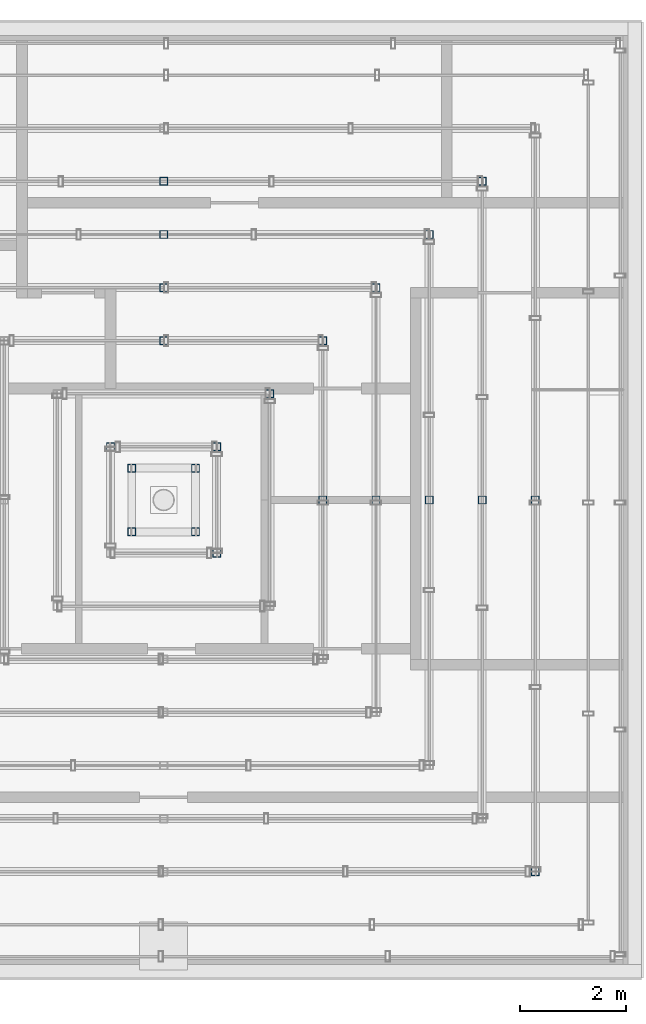
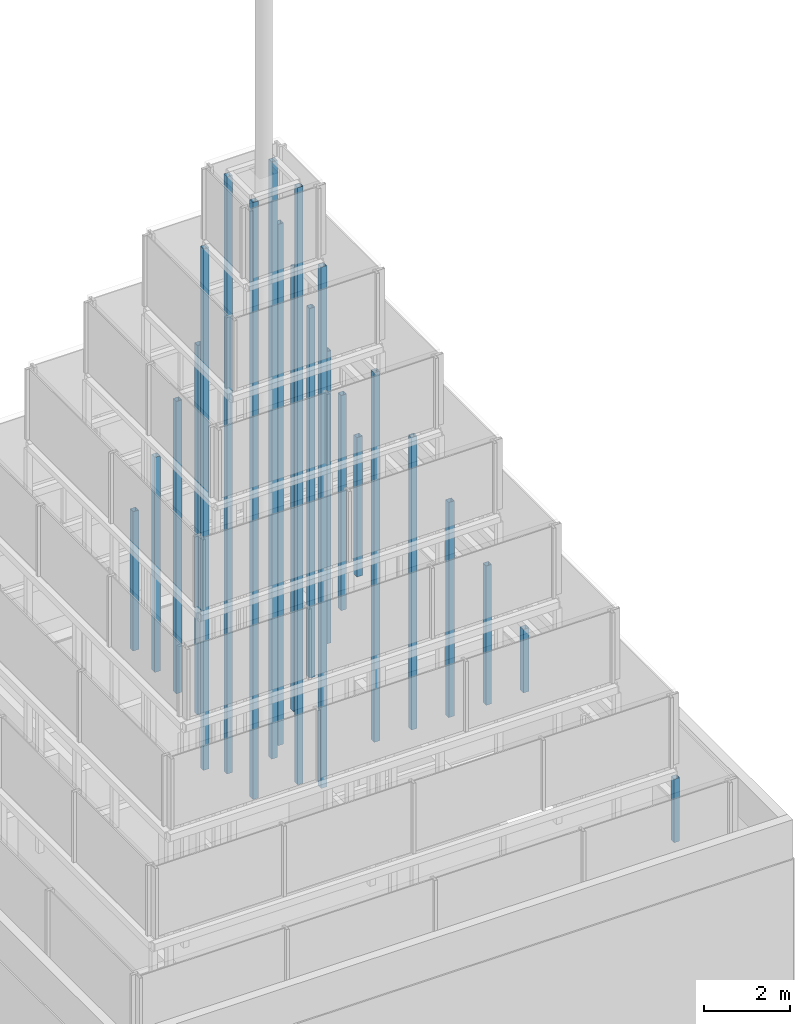
# One storey, part 2 of 24: 22 columns.
"""IFC4 building model written with IfcOpenShell, lengths in metres."""

from ifc_helpers import new_model, si_unit, direction, frame, origin, origin_2d, place, context, subcontext, project, spatial, hollow_rectangle, extrude, material, material_profile, profile_set, type_object, element, save


model = new_model("IFC4")

# Units and contexts
model_context = context("Model", 3, precision=1e-05, world=origin(), true_north=direction((0.0, 1.0)))
body_context = subcontext(model_context, "Body", "Model", "MODEL_VIEW")
ifc_project = project(units=[si_unit("LENGTHUNIT", "METRE"), si_unit("AREAUNIT", "SQUARE_METRE"), si_unit("VOLUMEUNIT", "CUBIC_METRE"), si_unit("PLANEANGLEUNIT", "RADIAN"), si_unit("MASSUNIT", "GRAM", prefix="KILO")], contexts=[model_context])

# Site, building, storey
site_placement = place(None, origin())
site = spatial("IfcSite", under=ifc_project, at=site_placement, CompositionType="ELEMENT")
building_placement = place(site_placement, origin())
building = spatial("IfcBuilding", under=site, at=building_placement, Name="Altepetl Exchange Towers", CompositionType="ELEMENT")
storey_placement = place(building_placement, frame((0.0, 0.0, 279.10009765625)))
storey = spatial("IfcBuildingStorey", under=building, at=storey_placement, Name="L70 Crown plant", CompositionType="ELEMENT", Elevation=279.10009765625)

# Columns
ifc_material = material(Name="Steel S355", Category="steel")
ifc_material_profile = material_profile(ifc_material, hollow_rectangle(XDim=0.14990234375, YDim=0.14990234375, WallThickness=0.008056640625, at=origin_2d()), Name="RHS 150x150x8")
ifc_profile_set = profile_set([ifc_material_profile], Name="Steel S355")
column_type = type_object("IfcColumnType", Name="Crown post hollow section 150x150x8", PredefinedType="COLUMN", material=ifc_profile_set)
for number, where, name in (
    (1, (56.5, 42.5, 4.5), "Crown post"),
    (2, (56.5, 49.5, 4.5), "Crown post"),
):
    element("IfcColumn", number, at=place(storey_placement, frame(where)), inside=storey, type_object=column_type, Name=name, PredefinedType="COLUMN", context=body_context, shape_type="SweptSolid", body=[
        extrude(hollow_rectangle(XDim=0.14990234375, YDim=0.14990234375, WallThickness=0.008056640625, at=origin_2d()), origin(), (0.0, 0.0, 1.0), 1.7998046875),
    ])
for number, where, name in (
    (3, (55.5, 49.5, 4.5), "Crown post"),
    (4, (55.5, 55.5, 4.5), "Crown post"),
    (5, (49.5, 55.5, 4.5), "Crown post"),
):
    element("IfcColumn", number, at=place(storey_placement, frame(where)), inside=storey, type_object=column_type, Name=name, PredefinedType="COLUMN", context=body_context, shape_type="SweptSolid", body=[
        extrude(hollow_rectangle(XDim=0.14990234375, YDim=0.14990234375, WallThickness=0.008056640625, at=origin_2d()), origin(), (0.0, 0.0, 1.0), 3.949951171875),
    ])
for number, where, name in (
    (6, (54.5, 49.5, 4.5), "Crown post"),
    (7, (54.5, 54.5, 4.5), "Crown post"),
    (8, (49.5, 54.5, 4.5), "Crown post"),
):
    element("IfcColumn", number, at=place(storey_placement, frame(where)), inside=storey, type_object=column_type, Name=name, PredefinedType="COLUMN", context=body_context, shape_type="SweptSolid", body=[
        extrude(hollow_rectangle(XDim=0.14990234375, YDim=0.14990234375, WallThickness=0.008056640625, at=origin_2d()), origin(), (0.0, 0.0, 1.0), 6.099853515625),
    ])
for number, where, name in (
    (9, (53.5, 49.5, 4.5), "Crown post"),
    (10, (53.5, 53.5, 4.5), "Crown post"),
    (11, (49.5, 53.5, 4.5), "Crown post"),
):
    element("IfcColumn", number, at=place(storey_placement, frame(where)), inside=storey, type_object=column_type, Name=name, PredefinedType="COLUMN", context=body_context, shape_type="SweptSolid", body=[
        extrude(hollow_rectangle(XDim=0.14990234375, YDim=0.14990234375, WallThickness=0.008056640625, at=origin_2d()), origin(), (0.0, 0.0, 1.0), 8.289794921875),
    ])
for number, where, name in (
    (12, (52.5, 49.5, 4.5), "Crown post"),
    (13, (52.5, 52.5, 4.5), "Crown post"),
    (14, (49.5, 52.5, 4.5), "Crown post"),
):
    element("IfcColumn", number, at=place(storey_placement, frame(where)), inside=storey, type_object=column_type, Name=name, PredefinedType="COLUMN", context=body_context, shape_type="SweptSolid", body=[
        extrude(hollow_rectangle(XDim=0.14990234375, YDim=0.14990234375, WallThickness=0.008056640625, at=origin_2d()), origin(), (0.0, 0.0, 1.0), 10.47998046875),
    ])
column_placement = place(storey_placement, frame((51.5, 51.5, 4.5)))
element("IfcColumn", 15, at=column_placement, inside=storey, type_object=column_type, Name="Crown post", PredefinedType="COLUMN", context=body_context, shape_type="SweptSolid", body=[
    extrude(hollow_rectangle(XDim=0.14990234375, YDim=0.14990234375, WallThickness=0.008056640625, at=origin_2d()), origin(), (0.0, 0.0, 1.0), 12.58984375),
])
for number, where, name in (
    (16, (50.5, 48.5, 4.5), "Crown post"),
    (17, (50.5, 50.5, 4.5), "Crown post"),
    (18, (48.5, 50.5, 4.5), "Crown post"),
):
    element("IfcColumn", number, at=place(storey_placement, frame(where)), inside=storey, type_object=column_type, Name=name, PredefinedType="COLUMN", context=body_context, shape_type="SweptSolid", body=[
        extrude(hollow_rectangle(XDim=0.14990234375, YDim=0.14990234375, WallThickness=0.008056640625, at=origin_2d()), origin(), (0.0, 0.0, 1.0), 14.77978515625),
    ])
for number, where, name in (
    (19, (48.89990234375, 48.89990234375, 4.5), "Crown post"),
    (20, (50.10009765625, 48.89990234375, 4.5), "Crown post"),
    (21, (50.10009765625, 50.10009765625, 4.5), "Crown post"),
    (22, (48.89990234375, 50.10009765625, 4.5), "Crown post"),
):
    element("IfcColumn", number, at=place(storey_placement, frame(where)), inside=storey, type_object=column_type, Name=name, PredefinedType="COLUMN", context=body_context, shape_type="SweptSolid", body=[
        extrude(hollow_rectangle(XDim=0.14990234375, YDim=0.14990234375, WallThickness=0.008056640625, at=origin_2d()), origin(), (0.0, 0.0, 1.0), 16.929931640625),
    ])

save(model, "model.ifc")
